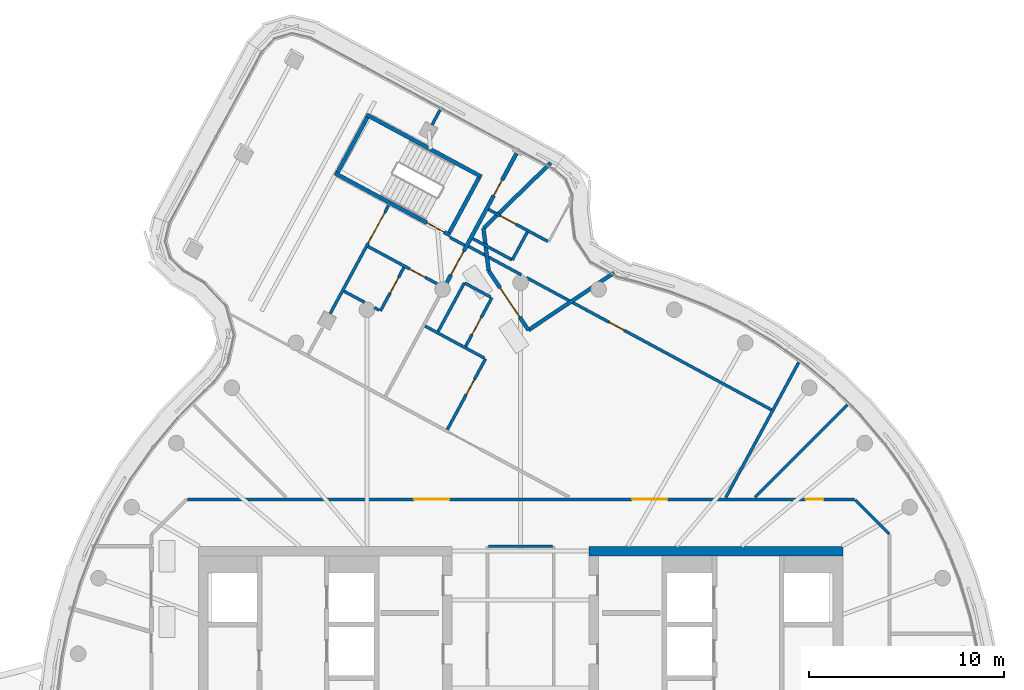
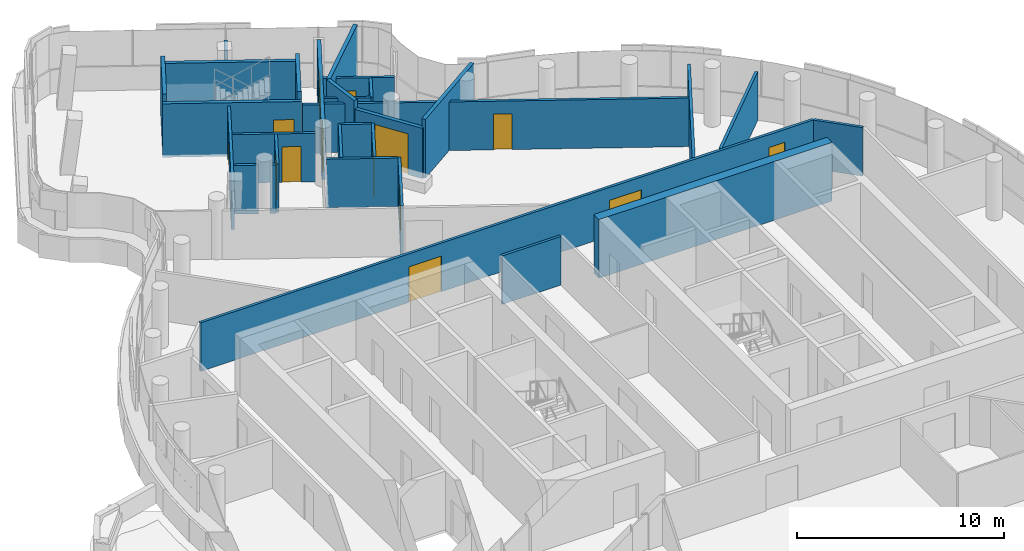
# One storey, part 16 of 22: 32 walls, 14 doors, 14 openings.
"""IFC4 building model written with IfcOpenShell, lengths in metres."""

from ifc_helpers import new_model, si_unit, direction, frame, frame_2d, origin, place, context, subcontext, project, spatial, polyline, rectangle, outline, extrude, material, layer, layer_set, type_object, element, fill, save


model = new_model("IFC4")

# Units and contexts
model_context = context("Model", 3, precision=1e-05, world=origin(), true_north=direction((0.0, 1.0)))
body_context = subcontext(model_context, "Body", "Model", "MODEL_VIEW")
ifc_project = project(units=[si_unit("LENGTHUNIT", "METRE"), si_unit("AREAUNIT", "SQUARE_METRE"), si_unit("VOLUMEUNIT", "CUBIC_METRE"), si_unit("PLANEANGLEUNIT", "RADIAN"), si_unit("MASSUNIT", "GRAM", prefix="KILO")], contexts=[model_context])

# Site, building, storey
site_placement = place(None, origin())
site = spatial("IfcSite", under=ifc_project, at=site_placement, CompositionType="ELEMENT")
building_placement = place(site_placement, origin())
building = spatial("IfcBuilding", under=site, at=building_placement, Name="Tamarind Cross Interchange Tower", CompositionType="ELEMENT")
storey_placement = place(building_placement, frame((0.0, 0.0, 256.800048828125)))
storey = spatial("IfcBuildingStorey", under=building, at=storey_placement, Name="L65", CompositionType="ELEMENT", Elevation=256.800048828125)

# Wall, opening, door
ifc_material_1 = material(Name="Concrete C40", Category="concrete")
ifc_layer_1 = layer(ifc_material_1, 0.199951171875)
ifc_layer_set_1 = layer_set([ifc_layer_1], Name="Concrete C40")
wall_type_1 = type_object("IfcWallType", Name="Balcony and garden door wall", PredefinedType="SOLIDWALL", material=ifc_layer_set_1)
wall_1_placement = place(storey_placement, frame((0.40283203125, 20.5654296875, 0.0), z_axis=(0.0, 0.0, 1.0), x_axis=(-0.55638015725, 0.830927867278, 0.0)))
wall_1 = element("IfcWall", 1, at=wall_1_placement, inside=storey, type_object=wall_type_1, Name="EXW-L65-WG-L65-NNb", PredefinedType="SOLIDWALL", context=body_context, shape_type="SweptSolid", body=[
    extrude(rectangle(XDim=3.653076171875, YDim=0.199951171875, at=frame_2d((1.82666015625, 0.0))), origin(), (0.0, 0.0, 1.0), 2.9638671875),
])
opening_1_placement = place(wall_1_placement, frame((0.800048828125, 0.0, 0.0)))
opening_1 = element("IfcOpeningElement", 2, at=opening_1_placement, cuts=wall_1, Name="Opening D5", PredefinedType="OPENING", context=body_context, shape_type="SweptSolid", body=[
    extrude(rectangle(XDim=1.800048828125, YDim=2.39990234375, at=frame_2d((0.89990234375, 1.199951171875))), frame((0.0, 0.10986328125, 0.0), z_axis=(0.0, -1.0, 0.0), x_axis=(1.0, 0.0, 0.0)), (0.0, 0.0, 1.0), 0.219970703125),
])
ifc_material_2 = material(Name="Aluminium and toughened glass", Category="aluminium")
door_type_1 = type_object("IfcDoorType", Name="Roof garden door", OperationType="DOUBLE_DOOR_SINGLE_SWING", PredefinedType="DOOR", material=ifc_material_2)
door_1_placement = place(opening_1_placement, origin())
door_1 = element("IfcDoor", 3, at=door_1_placement, inside=storey, type_object=door_type_1, Name="DOR-L65-WG-L65-NNb", OperationType="SINGLE_SWING_LEFT", OverallHeight=2.39990234375, OverallWidth=1.800048828125, PredefinedType="DOOR", context=body_context, shape_type="SweptSolid", body=[
    extrude(rectangle(XDim=1.800048828125, YDim=2.39990234375, at=frame_2d((0.89990234375, 1.199951171875))), frame((0.0, 0.02490234375, 0.0), z_axis=(0.0, -1.0, 0.0), x_axis=(1.0, 0.0, 0.0)), (0.0, 0.0, 1.0), 0.050048828125),
])
fill(opening_1, door_1)

# Walls
wall_2_placement = place(storey_placement, frame((0.402587890625, 20.5654296875, 0.0), z_axis=(0.0, 0.0, 1.0), x_axis=(0.830933103282, 0.556372337441, 0.0)))
element("IfcWall", 4, at=wall_2_placement, inside=storey, type_object=wall_type_1, Name="EXW-L65-WG-L65-NNb-R0", PredefinedType="SOLIDWALL", context=body_context, shape_type="SweptSolid", body=[
    extrude(rectangle(XDim=5.286376953125, YDim=0.199951171875, at=frame_2d((2.64306640625, 0.0))), origin(), (0.0, 0.0, 1.0), 3.4599609375),
])
wall_3_placement = place(storey_placement, frame((-1.6298828125, 23.600830078125, 0.0), z_axis=(0.0, 0.0, 1.0), x_axis=(-0.12306236425, 0.99239893919, 0.0)))
element("IfcWall", 5, at=wall_3_placement, inside=storey, type_object=wall_type_1, Name="EXW-L65-WG-L65-NNb-R1", PredefinedType="SOLIDWALL", context=body_context, shape_type="SweptSolid", body=[
    extrude(rectangle(XDim=2.194091796875, YDim=0.199951171875, at=frame_2d((1.09716796875, 0.0))), origin(), (0.0, 0.0, 1.0), 3.4599609375),
])
wall_4_placement = place(storey_placement, frame((-1.89990234375, 25.7783203125, 0.0), z_axis=(0.0, 0.0, 1.0), x_axis=(0.716859267363, 0.697217893342, 0.0)))
element("IfcWall", 6, at=wall_4_placement, inside=storey, type_object=wall_type_1, Name="EXW-L65-WG-L65-NNb-R2", PredefinedType="SOLIDWALL", context=body_context, shape_type="SweptSolid", body=[
    extrude(rectangle(XDim=4.7978515625, YDim=0.199951171875, at=frame_2d((2.39892578125, 0.0))), origin(), (0.0, 0.0, 1.0), 3.4599609375),
])
ifc_material_3 = material(Name="Concrete C50", Category="concrete")
ifc_layer_2 = layer(ifc_material_3, 0.5)
ifc_layer_set_2 = layer_set([ifc_layer_2], Name="Concrete C50")
wall_type_2 = type_object("IfcWallType", Name="Core wall 500 mm Concrete C50", PredefinedType="SHEAR", material=ifc_layer_set_2)
wall_5_placement = place(storey_placement, frame((16.5, 9.25, 0.0), z_axis=(0.0, 0.0, 1.0), x_axis=(-1.0, 0.0, 0.0)))
element("IfcWall", 7, at=wall_5_placement, inside=storey, type_object=wall_type_2, Name="Core wall CWL-L65-E-NE", PredefinedType="SHEAR", context=body_context, shape_type="SweptSolid", body=[
    extrude(rectangle(XDim=13.0, YDim=0.5, at=frame_2d((6.5, 0.0))), origin(), (0.0, 0.0, 1.0), 3.4599609375),
])
ifc_material_4 = material(Name="Gypsum board partition on steel studs", Category="steel")
ifc_layer_3 = layer(ifc_material_4, 0.14990234375)
ifc_layer_set_3 = layer_set([ifc_layer_3], Name="Gypsum board partition on steel studs")
wall_type_3 = type_object("IfcWallType", Name="Partition 150 mm EI 120", PredefinedType="PARTITIONING", material=ifc_layer_set_3)
wall_6_placement = place(storey_placement, frame((17.12841796875, 11.87158203125, 0.0), z_axis=(0.0, 0.0, 1.0), x_axis=(0.707106781187, -0.707106781187, 0.0)))
element("IfcWall", 8, at=wall_6_placement, inside=storey, type_object=wall_type_3, Name="Partition L65-004", PredefinedType="PARTITIONING", context=body_context, shape_type="SweptSolid", body=[
    extrude(rectangle(XDim=2.465087890625, YDim=0.14990234375, at=frame_2d((1.232421875, 0.0))), origin(), (0.0, 0.0, 1.0), 2.864013671875),
])
wall_7_placement = place(storey_placement, frame((-9.04296875, 22.5625, 0.0), z_axis=(0.0, 0.0, 1.0), x_axis=(0.879935954221, -0.475092324153, 0.0)))
element("IfcWall", 9, at=wall_7_placement, inside=storey, type_object=wall_type_3, Name="Partition L65-007", PredefinedType="PARTITIONING", context=body_context, shape_type="SweptSolid", body=[
    extrude(rectangle(XDim=1.202392578125, YDim=0.14990234375, at=frame_2d((0.60107421875, 0.0))), origin(), (0.0, 0.0, 1.0), 2.864013671875),
])
wall_8_placement = place(storey_placement, frame((-7.485595703125, 21.7216796875, 0.0), z_axis=(0.0, 0.0, 1.0), x_axis=(0.880051073949, -0.474879044854, 0.0)))
element("IfcWall", 10, at=wall_8_placement, inside=storey, type_object=wall_type_3, Name="Partition L65-008", PredefinedType="PARTITIONING", context=body_context, shape_type="SweptSolid", body=[
    extrude(rectangle(XDim=0.2802734375, YDim=0.14990234375, at=frame_2d((0.14013671875, 0.0))), origin(), (0.0, 0.0, 1.0), 2.864013671875),
])

# Wall, opening, door
wall_9_placement = place(storey_placement, frame((-7.80810546875, 24.850341796875, 0.0), z_axis=(0.0, 0.0, 1.0), x_axis=(0.879989576418, -0.474992995101, 0.0)))
wall_9 = element("IfcWall", 11, at=wall_9_placement, inside=storey, type_object=wall_type_3, Name="Partition L65-009", PredefinedType="PARTITIONING", context=body_context, shape_type="SweptSolid", body=[
    extrude(rectangle(XDim=4.025146484375, YDim=0.14990234375, at=frame_2d((2.0126953125, 0.0))), origin(), (0.0, 0.0, 1.0), 2.864013671875),
])
opening_2_placement = place(wall_9_placement, frame((2.425048828125, 0.0, 0.0)))
opening_2 = element("IfcOpeningElement", 12, at=opening_2_placement, cuts=wall_9, Name="Opening D02", PredefinedType="OPENING", context=body_context, shape_type="SweptSolid", body=[
    extrude(rectangle(XDim=0.89990234375, YDim=2.10009765625, at=frame_2d((0.449951171875, 1.050048828125))), frame((0.0, 0.0849609375, 0.0), z_axis=(0.0, -1.0, 0.0), x_axis=(1.0, 0.0, 0.0)), (0.0, 0.0, 1.0), 0.169921875),
])
ifc_material_5 = material(Name="Fire-resisting door set")
door_type_2 = type_object("IfcDoorType", Name="Interior door 900 x 2100 FD60S", OperationType="SINGLE_SWING_LEFT", PredefinedType="DOOR", material=ifc_material_5)
door_2_placement = place(opening_2_placement, frame((0.89990234375, 0.0, 0.0), z_axis=(0.0, 0.0, 1.0), x_axis=(-1.0, 0.0, 0.0)))
door_2 = element("IfcDoor", 13, at=door_2_placement, inside=storey, type_object=door_type_2, Name="Door D02", OperationType="SINGLE_SWING_RIGHT", OverallHeight=2.10009765625, OverallWidth=0.89990234375, PredefinedType="DOOR", context=body_context, shape_type="SweptSolid", body=[
    extrude(rectangle(XDim=0.89990234375, YDim=2.10009765625, at=frame_2d((0.449951171875, 1.050048828125))), frame((0.0, 0.02490234375, 0.0), z_axis=(0.0, -1.0, 0.0), x_axis=(1.0, 0.0, 0.0)), (0.0, 0.0, 1.0), 0.050048828125),
])
fill(opening_2, door_2)

# Walls
wall_10_placement = place(storey_placement, frame((-4.89306640625, 20.77734375, 0.0), z_axis=(0.0, 0.0, 1.0), x_axis=(0.880007149788, -0.474960436586, 0.0)))
element("IfcWall", 14, at=wall_10_placement, inside=storey, type_object=wall_type_3, Name="Partition L65-010", PredefinedType="PARTITIONING", context=body_context, shape_type="SweptSolid", body=[
    extrude(rectangle(XDim=3.4501953125, YDim=0.14990234375, at=frame_2d((1.72509765625, 0.0))), origin(), (0.0, 0.0, 1.0), 2.864013671875),
])
wall_11_placement = place(storey_placement, frame((-3.61865234375, 25.31689453125, 0.0), z_axis=(0.0, 0.0, 1.0), x_axis=(0.879960000932, -0.475047783659, 0.0)))
element("IfcWall", 15, at=wall_11_placement, inside=storey, type_object=wall_type_3, Name="Partition L65-011", PredefinedType="PARTITIONING", context=body_context, shape_type="SweptSolid", body=[
    extrude(rectangle(XDim=0.85986328125, YDim=0.14990234375, at=frame_2d((0.429931640625, 0.0))), origin(), (0.0, 0.0, 1.0), 2.864013671875),
])
wall_12_placement = place(storey_placement, frame((-2.8603515625, 22.9755859375, 0.0), z_axis=(0.0, 0.0, 1.0), x_axis=(0.880085616352, -0.474815024921, 0.0)))
element("IfcWall", 16, at=wall_12_placement, inside=storey, type_object=wall_type_3, Name="Partition L65-012", PredefinedType="PARTITIONING", context=body_context, shape_type="SweptSolid", body=[
    extrude(rectangle(XDim=1.506103515625, YDim=0.14990234375, at=frame_2d((0.7529296875, 0.0))), origin(), (0.0, 0.0, 1.0), 2.864013671875),
])
wall_13_placement = place(storey_placement, frame((-2.662109375, 24.857421875, 0.0), z_axis=(0.0, 0.0, 1.0), x_axis=(0.880044328611, -0.474891545176, 0.0)))
element("IfcWall", 17, at=wall_13_placement, inside=storey, type_object=wall_type_3, Name="Partition L65-013", PredefinedType="PARTITIONING", context=body_context, shape_type="SweptSolid", body=[
    extrude(rectangle(XDim=3.0703125, YDim=0.14990234375, at=frame_2d((1.53515625, 0.0))), origin(), (0.0, 0.0, 1.0), 2.864013671875),
])

# Wall, opening, door
wall_14_placement = place(storey_placement, frame((0.302490234375, 23.257568359375, 0.0), z_axis=(0.0, 0.0, 1.0), x_axis=(0.88000876601, -0.474957442037, 0.0)))
wall_14 = element("IfcWall", 18, at=wall_14_placement, inside=storey, type_object=wall_type_3, Name="Partition L65-014", PredefinedType="PARTITIONING", context=body_context, shape_type="SweptSolid", body=[
    extrude(rectangle(XDim=14.256103515625, YDim=0.14990234375, at=frame_2d((7.1279296875, 0.0))), origin(), (0.0, 0.0, 1.0), 2.864013671875),
])
opening_3_placement = place(wall_14_placement, frame((4.800048828125, 0.0, 0.0)))
opening_3 = element("IfcOpeningElement", 19, at=opening_3_placement, cuts=wall_14, Name="Opening D03", PredefinedType="OPENING", context=body_context, shape_type="SweptSolid", body=[
    extrude(rectangle(XDim=0.89990234375, YDim=2.10009765625, at=frame_2d((0.449951171875, 1.050048828125))), frame((0.0, 0.0849609375, 0.0), z_axis=(0.0, -1.0, 0.0), x_axis=(1.0, 0.0, 0.0)), (0.0, 0.0, 1.0), 0.169921875),
])
door_3_placement = place(opening_3_placement, origin())
door_3 = element("IfcDoor", 20, at=door_3_placement, inside=storey, type_object=door_type_2, Name="Door D03", OperationType="SINGLE_SWING_RIGHT", OverallHeight=2.10009765625, OverallWidth=0.89990234375, PredefinedType="DOOR", context=body_context, shape_type="SweptSolid", body=[
    extrude(rectangle(XDim=0.89990234375, YDim=2.10009765625, at=frame_2d((0.449951171875, 1.050048828125))), frame((0.0, 0.02490234375, 0.0), z_axis=(0.0, -1.0, 0.0), x_axis=(1.0, 0.0, 0.0)), (0.0, 0.0, 1.0), 0.050048828125),
])
fill(opening_3, door_3)

# Wall
wall_15_placement = place(storey_placement, frame((-2.444580078125, 25.251220703125, 0.0), z_axis=(0.0, 0.0, 1.0), x_axis=(0.879950258975, -0.475065828839, 0.0)))
element("IfcWall", 21, at=wall_15_placement, inside=storey, type_object=wall_type_3, Name="Partition L65-015", PredefinedType="PARTITIONING", context=body_context, shape_type="SweptSolid", body=[
    extrude(rectangle(XDim=2.275146484375, YDim=0.14990234375, at=frame_2d((1.1376953125, 0.0))), origin(), (0.0, 0.0, 1.0), 2.864013671875),
])

# Wall, opening, door
wall_16_placement = place(storey_placement, frame((-1.64111328125, 26.74951171875, 0.0), z_axis=(0.0, 0.0, 1.0), x_axis=(0.879977572417, -0.475015233486, 0.0)))
wall_16 = element("IfcWall", 22, at=wall_16_placement, inside=storey, type_object=wall_type_3, Name="Partition L65-016", PredefinedType="PARTITIONING", context=body_context, shape_type="SweptSolid", body=[
    extrude(rectangle(XDim=3.4501953125, YDim=0.14990234375, at=frame_2d((1.72509765625, 0.0))), origin(), (0.0, 0.0, 1.0), 2.864013671875),
])
opening_4_placement = place(wall_16_placement, frame((0.699951171875, 0.0, 0.0)))
opening_4 = element("IfcOpeningElement", 23, at=opening_4_placement, cuts=wall_16, Name="Opening D04", PredefinedType="OPENING", context=body_context, shape_type="SweptSolid", body=[
    extrude(rectangle(XDim=0.89990234375, YDim=2.10009765625, at=frame_2d((0.449951171875, 1.050048828125))), frame((0.0, 0.0849609375, 0.0), z_axis=(0.0, -1.0, 0.0), x_axis=(1.0, 0.0, 0.0)), (0.0, 0.0, 1.0), 0.169921875),
])
door_4_placement = place(opening_4_placement, frame((0.89990234375, 0.0, 0.0), z_axis=(0.0, 0.0, 1.0), x_axis=(-1.0, 0.0, 0.0)))
door_4 = element("IfcDoor", 24, at=door_4_placement, inside=storey, type_object=door_type_2, Name="Door D04", OperationType="SINGLE_SWING_LEFT", OverallHeight=2.10009765625, OverallWidth=0.89990234375, PredefinedType="DOOR", context=body_context, shape_type="SweptSolid", body=[
    extrude(rectangle(XDim=0.89990234375, YDim=2.10009765625, at=frame_2d((0.449951171875, 1.050048828125))), frame((0.0, 0.02490234375, 0.0), z_axis=(0.0, -1.0, 0.0), x_axis=(1.0, 0.0, 0.0)), (0.0, 0.0, 1.0), 0.050048828125),
])
fill(opening_4, door_4)

# Wall, openings, doors
wall_17_placement = place(storey_placement, frame((-17.06494140625, 11.89990234375, 0.0), z_axis=(0.0, 0.0, 1.0), x_axis=(1.0, 0.0, 0.0)))
wall_17 = element("IfcWall", 25, at=wall_17_placement, inside=storey, type_object=wall_type_3, Name="Partition L65-020", PredefinedType="PARTITIONING", context=body_context, shape_type="SweptSolid", body=[
    extrude(rectangle(XDim=34.1650390625, YDim=0.14990234375, at=frame_2d((17.08251953125, 0.0))), origin(), (0.0, 0.0, 1.0), 2.864013671875),
])
opening_5_placement = place(wall_17_placement, frame((22.777099609375, 0.0, 0.0)))
opening_5 = element("IfcOpeningElement", 26, at=opening_5_placement, cuts=wall_17, Name="Opening D10", PredefinedType="OPENING", context=body_context, shape_type="SweptSolid", body=[
    extrude(rectangle(XDim=1.800048828125, YDim=2.10009765625, at=frame_2d((0.89990234375, 1.050048828125))), frame((0.0, 0.0849609375, 0.0), z_axis=(0.0, -1.0, 0.0), x_axis=(1.0, 0.0, 0.0)), (0.0, 0.0, 1.0), 0.169921875),
])
opening_6_placement = place(wall_17_placement, frame((31.6650390625, 0.0, 0.0)))
opening_6 = element("IfcOpeningElement", 27, at=opening_6_placement, cuts=wall_17, Name="Opening D11", PredefinedType="OPENING", context=body_context, shape_type="SweptSolid", body=[
    extrude(rectangle(XDim=0.89990234375, YDim=2.10009765625, at=frame_2d((0.449951171875, 1.050048828125))), frame((0.0, 0.0849609375, 0.0), z_axis=(0.0, -1.0, 0.0), x_axis=(1.0, 0.0, 0.0)), (0.0, 0.0, 1.0), 0.169921875),
])
opening_7_placement = place(wall_17_placement, frame((11.614990234375, 0.0, 0.0)))
opening_7 = element("IfcOpeningElement", 28, at=opening_7_placement, cuts=wall_17, Name="Opening D12", PredefinedType="OPENING", context=body_context, shape_type="SweptSolid", body=[
    extrude(rectangle(XDim=1.800048828125, YDim=2.10009765625, at=frame_2d((0.89990234375, 1.050048828125))), frame((0.0, 0.0849609375, 0.0), z_axis=(0.0, -1.0, 0.0), x_axis=(1.0, 0.0, 0.0)), (0.0, 0.0, 1.0), 0.169921875),
])
door_type_3 = type_object("IfcDoorType", Name="Interior door 1800 x 2100 FD60S", OperationType="DOUBLE_DOOR_SINGLE_SWING", PredefinedType="DOOR", material=ifc_material_5)
door_5_placement = place(opening_5_placement, frame((1.800048828125, 0.0, 0.0), z_axis=(0.0, 0.0, 1.0), x_axis=(-1.0, 0.0, 0.0)))
door_5 = element("IfcDoor", 29, at=door_5_placement, inside=storey, type_object=door_type_3, Name="Door D10", OperationType="DOUBLE_DOOR_SINGLE_SWING", OverallHeight=2.10009765625, OverallWidth=1.800048828125, PredefinedType="DOOR", context=body_context, shape_type="SweptSolid", body=[
    extrude(rectangle(XDim=1.800048828125, YDim=2.10009765625, at=frame_2d((0.89990234375, 1.050048828125))), frame((0.0, 0.02490234375, 0.0), z_axis=(0.0, -1.0, 0.0), x_axis=(1.0, 0.0, 0.0)), (0.0, 0.0, 1.0), 0.050048828125),
])
fill(opening_5, door_5)
door_6_placement = place(opening_7_placement, frame((1.800048828125, 0.0, 0.0), z_axis=(0.0, 0.0, 1.0), x_axis=(-1.0, 0.0, 0.0)))
door_6 = element("IfcDoor", 30, at=door_6_placement, inside=storey, type_object=door_type_3, Name="Door D12", OperationType="DOUBLE_DOOR_SINGLE_SWING", OverallHeight=2.10009765625, OverallWidth=1.800048828125, PredefinedType="DOOR", context=body_context, shape_type="SweptSolid", body=[
    extrude(rectangle(XDim=1.800048828125, YDim=2.10009765625, at=frame_2d((0.89990234375, 1.050048828125))), frame((0.0, 0.02490234375, 0.0), z_axis=(0.0, -1.0, 0.0), x_axis=(1.0, 0.0, 0.0)), (0.0, 0.0, 1.0), 0.050048828125),
])
fill(opening_7, door_6)
door_7_placement = place(opening_6_placement, origin())
door_7 = element("IfcDoor", 31, at=door_7_placement, inside=storey, type_object=door_type_2, Name="Door D11", OperationType="SINGLE_SWING_LEFT", OverallHeight=2.10009765625, OverallWidth=0.89990234375, PredefinedType="DOOR", context=body_context, shape_type="SweptSolid", body=[
    extrude(rectangle(XDim=0.89990234375, YDim=2.10009765625, at=frame_2d((0.449951171875, 1.050048828125))), frame((0.0, 0.02490234375, 0.0), z_axis=(0.0, -1.0, 0.0), x_axis=(1.0, 0.0, 0.0)), (0.0, 0.0, 1.0), 0.050048828125),
])
fill(opening_6, door_7)

# Walls
wall_18_placement = place(storey_placement, frame((-1.639892578125, 9.5, 0.0), z_axis=(0.0, 0.0, 1.0), x_axis=(1.0, 0.0, 0.0)))
element("IfcWall", 32, at=wall_18_placement, inside=storey, type_object=wall_type_3, Name="Partition L65-025", PredefinedType="PARTITIONING", context=body_context, shape_type="SweptSolid", body=[
    extrude(rectangle(XDim=3.27978515625, YDim=0.14990234375, at=frame_2d((1.639892578125, 0.0))), origin(), (0.0, 0.0, 1.0), 2.864013671875),
])
wall_19_placement = place(storey_placement, frame((12.009521484375, 12.009521484375, 0.0), z_axis=(0.0, 0.0, 1.0), x_axis=(0.707106781187, 0.707106781187, 0.0)))
element("IfcWall", 33, at=wall_19_placement, inside=storey, type_object=wall_type_3, Name="Partition L65-029", PredefinedType="PARTITIONING", context=body_context, shape_type="SweptSolid", body=[
    extrude(rectangle(XDim=6.690673828125, YDim=0.14990234375, at=frame_2d((3.34521484375, 0.0))), origin(), (0.0, 0.0, 1.0), 2.864013671875),
])

# Wall, opening, door
wall_20_placement = place(storey_placement, frame((-9.755126953125, 21.40087890625, 0.0), z_axis=(0.0, 0.0, 1.0), x_axis=(0.47500714936, 0.87998193621, 0.0)))
wall_20 = element("IfcWall", 34, at=wall_20_placement, inside=storey, type_object=wall_type_3, Name="Partition L65-032", PredefinedType="PARTITIONING", context=body_context, shape_type="SweptSolid", body=[
    extrude(rectangle(XDim=6.3203125, YDim=0.14990234375, at=frame_2d((3.16015625, 0.0))), origin(), (0.0, 0.0, 1.0), 2.864013671875),
])
opening_8_placement = place(wall_20_placement, frame((4.1103515625, 0.0, 0.0)))
opening_8 = element("IfcOpeningElement", 35, at=opening_8_placement, cuts=wall_20, Name="Opening D13", PredefinedType="OPENING", context=body_context, shape_type="SweptSolid", body=[
    extrude(rectangle(XDim=1.800048828125, YDim=2.10009765625, at=frame_2d((0.89990234375, 1.050048828125))), frame((0.0, 0.0849609375, 0.0), z_axis=(0.0, -1.0, 0.0), x_axis=(1.0, 0.0, 0.0)), (0.0, 0.0, 1.0), 0.169921875),
])
door_8_placement = place(opening_8_placement, origin())
door_8 = element("IfcDoor", 36, at=door_8_placement, inside=storey, type_object=door_type_3, Name="Door D13", OperationType="DOUBLE_DOOR_SINGLE_SWING", OverallHeight=2.10009765625, OverallWidth=1.800048828125, PredefinedType="DOOR", context=body_context, shape_type="SweptSolid", body=[
    extrude(rectangle(XDim=1.800048828125, YDim=2.10009765625, at=frame_2d((0.89990234375, 1.050048828125))), frame((0.0, 0.02490234375, 0.0), z_axis=(0.0, -1.0, 0.0), x_axis=(1.0, 0.0, 0.0)), (0.0, 0.0, 1.0), 0.050048828125),
])
fill(opening_8, door_8)

# Wall
wall_21_placement = place(storey_placement, frame((-4.52880859375, 31.08349609375, 0.0), z_axis=(0.0, 0.0, 1.0), x_axis=(0.474932601123, 0.88002217267, 0.0)))
element("IfcWall", 37, at=wall_21_placement, inside=storey, type_object=wall_type_3, Name="Partition L65-033", PredefinedType="PARTITIONING", context=body_context, shape_type="SweptSolid", body=[
    extrude(rectangle(XDim=0.8564453125, YDim=0.14990234375, at=frame_2d((0.42822265625, 0.0))), origin(), (0.0, 0.0, 1.0), 2.864013671875),
])

# Wall, opening, door
wall_22_placement = place(storey_placement, frame((-7.173095703125, 21.552978515625, 0.0), z_axis=(0.0, 0.0, 1.0), x_axis=(0.475033626328, 0.879967643642, 0.0)))
wall_22 = element("IfcWall", 38, at=wall_22_placement, inside=storey, type_object=wall_type_3, Name="Partition L65-034", PredefinedType="PARTITIONING", context=body_context, shape_type="SweptSolid", body=[
    extrude(rectangle(XDim=2.52490234375, YDim=0.14990234375, at=frame_2d((1.262451171875, 0.0))), origin(), (0.0, 0.0, 1.0), 2.864013671875),
])
opening_9_placement = place(wall_22_placement, frame((1.050048828125, 0.0, 0.0)))
opening_9 = element("IfcOpeningElement", 39, at=opening_9_placement, cuts=wall_22, Name="Opening D14", PredefinedType="OPENING", context=body_context, shape_type="SweptSolid", body=[
    extrude(rectangle(XDim=0.89990234375, YDim=2.10009765625, at=frame_2d((0.449951171875, 1.050048828125))), frame((0.0, 0.0849609375, 0.0), z_axis=(0.0, -1.0, 0.0), x_axis=(1.0, 0.0, 0.0)), (0.0, 0.0, 1.0), 0.169921875),
])
door_9_placement = place(opening_9_placement, origin())
door_9 = element("IfcDoor", 40, at=door_9_placement, inside=storey, type_object=door_type_2, Name="Door D14", OperationType="SINGLE_SWING_LEFT", OverallHeight=2.10009765625, OverallWidth=0.89990234375, PredefinedType="DOOR", context=body_context, shape_type="SweptSolid", body=[
    extrude(rectangle(XDim=0.89990234375, YDim=2.10009765625, at=frame_2d((0.449951171875, 1.050048828125))), frame((0.0, 0.02490234375, 0.0), z_axis=(0.0, -1.0, 0.0), x_axis=(1.0, 0.0, 0.0)), (0.0, 0.0, 1.0), 0.050048828125),
])
fill(opening_9, door_9)

# Wall
wall_23_placement = place(storey_placement, frame((-4.219482421875, 20.4990234375, 0.0), z_axis=(0.0, 0.0, 1.0), x_axis=(0.47489329303, 0.880043385428, 0.0)))
element("IfcWall", 41, at=wall_23_placement, inside=storey, type_object=wall_type_3, Name="Partition L65-037", PredefinedType="PARTITIONING", context=body_context, shape_type="SweptSolid", body=[
    extrude(rectangle(XDim=2.824951171875, YDim=0.14990234375, at=frame_2d((1.41259765625, 0.0))), origin(), (0.0, 0.0, 1.0), 2.864013671875),
])

# Wall, opening, door
wall_24_placement = place(storey_placement, frame((-3.75048828125, 15.472900390625, 0.0), z_axis=(0.0, 0.0, 1.0), x_axis=(0.474999530937, 0.879986048531, 0.0)))
wall_24 = element("IfcWall", 42, at=wall_24_placement, inside=storey, type_object=wall_type_3, Name="Partition L65-038", PredefinedType="PARTITIONING", context=body_context, shape_type="SweptSolid", body=[
    extrude(rectangle(XDim=4.125244140625, YDim=0.14990234375, at=frame_2d((2.0625, 0.0))), origin(), (0.0, 0.0, 1.0), 2.864013671875),
])
opening_10_placement = place(wall_24_placement, frame((2.02490234375, 0.0, 0.0)))
opening_10 = element("IfcOpeningElement", 43, at=opening_10_placement, cuts=wall_24, Name="Opening D17", PredefinedType="OPENING", context=body_context, shape_type="SweptSolid", body=[
    extrude(rectangle(XDim=0.89990234375, YDim=2.10009765625, at=frame_2d((0.449951171875, 1.050048828125))), frame((0.0, 0.0849609375, 0.0), z_axis=(0.0, -1.0, 0.0), x_axis=(1.0, 0.0, 0.0)), (0.0, 0.0, 1.0), 0.169921875),
])
door_10_placement = place(opening_10_placement, origin())
door_10 = element("IfcDoor", 44, at=door_10_placement, inside=storey, type_object=door_type_2, Name="Door D17", OperationType="SINGLE_SWING_LEFT", OverallHeight=2.10009765625, OverallWidth=0.89990234375, PredefinedType="DOOR", context=body_context, shape_type="SweptSolid", body=[
    extrude(rectangle(XDim=0.89990234375, YDim=2.10009765625, at=frame_2d((0.449951171875, 1.050048828125))), frame((0.0, 0.02490234375, 0.0), z_axis=(0.0, -1.0, 0.0), x_axis=(1.0, 0.0, 0.0)), (0.0, 0.0, 1.0), 0.050048828125),
])
fill(opening_10, door_10)

wall_25_placement = place(storey_placement, frame((-2.811279296875, 19.739013671875, 0.0), z_axis=(0.0, 0.0, 1.0), x_axis=(0.475094053196, 0.879935020679, 0.0)))
wall_25 = element("IfcWall", 45, at=wall_25_placement, inside=storey, type_object=wall_type_3, Name="Partition L65-040", PredefinedType="PARTITIONING", context=body_context, shape_type="SweptSolid", body=[
    extrude(rectangle(XDim=2.8251953125, YDim=0.14990234375, at=frame_2d((1.41259765625, 0.0))), origin(), (0.0, 0.0, 1.0), 2.864013671875),
])
opening_11_placement = place(wall_25_placement, frame((0.675048828125, 0.0, 0.0)))
opening_11 = element("IfcOpeningElement", 46, at=opening_11_placement, cuts=wall_25, Name="Opening D19", PredefinedType="OPENING", context=body_context, shape_type="SweptSolid", body=[
    extrude(rectangle(XDim=1.0, YDim=2.10009765625, at=frame_2d((0.5, 1.050048828125))), frame((0.0, 0.0849609375, 0.0), z_axis=(0.0, -1.0, 0.0), x_axis=(1.0, 0.0, 0.0)), (0.0, 0.0, 1.0), 0.169921875),
])
door_type_4 = type_object("IfcDoorType", Name="Interior door 1000 x 2100 FD60S", OperationType="SINGLE_SWING_LEFT", PredefinedType="DOOR", material=ifc_material_5)
door_11_placement = place(opening_11_placement, origin())
door_11 = element("IfcDoor", 47, at=door_11_placement, inside=storey, type_object=door_type_4, Name="Door D19", OperationType="SINGLE_SWING_RIGHT", OverallHeight=2.10009765625, OverallWidth=1.0, PredefinedType="DOOR", context=body_context, shape_type="SweptSolid", body=[
    extrude(rectangle(XDim=1.0, YDim=2.10009765625, at=frame_2d((0.5, 1.050048828125))), frame((0.0, 0.02490234375, 0.0), z_axis=(0.0, -1.0, 0.0), x_axis=(1.0, 0.0, 0.0)), (0.0, 0.0, 1.0), 0.050048828125),
])
fill(opening_11, door_11)

# Walls
wall_26_placement = place(storey_placement, frame((-0.423828125, 24.160400390625, 0.0), z_axis=(0.0, 0.0, 1.0), x_axis=(0.475111699271, 0.879925492991, 0.0)))
element("IfcWall", 48, at=wall_26_placement, inside=storey, type_object=wall_type_3, Name="Partition L65-041", PredefinedType="PARTITIONING", context=body_context, shape_type="SweptSolid", body=[
    extrude(rectangle(XDim=1.625244140625, YDim=0.14990234375, at=frame_2d((0.8125, 0.0))), origin(), (0.0, 0.0, 1.0), 2.864013671875),
])
wall_27_placement = place(storey_placement, frame((10.5078125, 11.992431640625, 0.0), z_axis=(0.0, 0.0, 1.0), x_axis=(0.474916972047, 0.88003060723, 0.0)))
element("IfcWall", 49, at=wall_27_placement, inside=storey, type_object=wall_type_3, Name="Partition L65-042", PredefinedType="PARTITIONING", context=body_context, shape_type="SweptSolid", body=[
    extrude(rectangle(XDim=7.873046875, YDim=0.14990234375, at=frame_2d((3.9365234375, 0.0))), origin(), (0.0, 0.0, 1.0), 2.864013671875),
])

# Wall, openings, doors
ifc_layer_4 = layer(ifc_material_4, 0.199951171875)
ifc_layer_set_4 = layer_set([ifc_layer_4], Name="Gypsum board partition on steel studs")
wall_type_4 = type_object("IfcWallType", Name="Partition 200 mm EI 180", PredefinedType="PARTITIONING", material=ifc_layer_set_4)
wall_28_placement = place(storey_placement, frame((-3.864990234375, 22.839599609375, 0.0), z_axis=(0.0, 0.0, 1.0), x_axis=(0.474975497938, 0.879999020658, 0.0)))
wall_28 = element("IfcWall", 50, at=wall_28_placement, inside=storey, type_object=wall_type_4, Name="Partition L65-036", PredefinedType="PARTITIONING", context=body_context, shape_type="SweptSolid", body=[
    extrude(rectangle(XDim=7.69580078125, YDim=0.199951171875, at=frame_2d((3.847900390625, 0.0))), origin(), (0.0, 0.0, 1.0), 2.864013671875),
])
opening_12_placement = place(wall_28_placement, frame((0.62890625, 0.0, 0.0)))
opening_12 = element("IfcOpeningElement", 51, at=opening_12_placement, cuts=wall_28, Name="Opening D15", PredefinedType="OPENING", context=body_context, shape_type="SweptSolid", body=[
    extrude(rectangle(XDim=1.39990234375, YDim=2.10009765625, at=frame_2d((0.699951171875, 1.050048828125))), frame((0.0, 0.10986328125, 0.0), z_axis=(0.0, -1.0, 0.0), x_axis=(1.0, 0.0, 0.0)), (0.0, 0.0, 1.0), 0.219970703125),
])
opening_13_placement = place(wall_28_placement, frame((5.247314453125, 0.0, 0.0)))
opening_13 = element("IfcOpeningElement", 52, at=opening_13_placement, cuts=wall_28, Name="Opening D16", PredefinedType="OPENING", context=body_context, shape_type="SweptSolid", body=[
    extrude(rectangle(XDim=0.89990234375, YDim=2.10009765625, at=frame_2d((0.449951171875, 1.050048828125))), frame((0.0, 0.10986328125, 0.0), z_axis=(0.0, -1.0, 0.0), x_axis=(1.0, 0.0, 0.0)), (0.0, 0.0, 1.0), 0.219970703125),
])
door_type_5 = type_object("IfcDoorType", Name="Interior door 1400 x 2100 FD120S", OperationType="DOUBLE_DOOR_SINGLE_SWING", PredefinedType="DOOR", material=ifc_material_5)
door_12_placement = place(opening_12_placement, frame((1.39990234375, 0.0, 0.0), z_axis=(0.0, 0.0, 1.0), x_axis=(-1.0, 0.0, 0.0)))
door_12 = element("IfcDoor", 53, at=door_12_placement, inside=storey, type_object=door_type_5, Name="Door D15", OperationType="DOUBLE_DOOR_SINGLE_SWING", OverallHeight=2.10009765625, OverallWidth=1.39990234375, PredefinedType="DOOR", context=body_context, shape_type="SweptSolid", body=[
    extrude(rectangle(XDim=1.39990234375, YDim=2.10009765625, at=frame_2d((0.699951171875, 1.050048828125))), frame((0.0, 0.02490234375, 0.0), z_axis=(0.0, -1.0, 0.0), x_axis=(1.0, 0.0, 0.0)), (0.0, 0.0, 1.0), 0.050048828125),
])
fill(opening_12, door_12)
door_type_6 = type_object("IfcDoorType", Name="Interior door 900 x 2100 FD120S", OperationType="SINGLE_SWING_LEFT", PredefinedType="DOOR", material=ifc_material_5)
door_13_placement = place(opening_13_placement, origin())
door_13 = element("IfcDoor", 54, at=door_13_placement, inside=storey, type_object=door_type_6, Name="Door D16", OperationType="SINGLE_SWING_LEFT", OverallHeight=2.10009765625, OverallWidth=0.89990234375, PredefinedType="DOOR", context=body_context, shape_type="SweptSolid", body=[
    extrude(rectangle(XDim=0.89990234375, YDim=2.10009765625, at=frame_2d((0.449951171875, 1.050048828125))), frame((0.0, 0.02490234375, 0.0), z_axis=(0.0, -1.0, 0.0), x_axis=(1.0, 0.0, 0.0)), (0.0, 0.0, 1.0), 0.050048828125),
])
fill(opening_13, door_13)

# Wall, opening, door
ifc_layer_5 = layer(ifc_material_1, 0.199951171875)
ifc_layer_set_5 = layer_set([ifc_layer_5], Name="Concrete C40")
wall_type_5 = type_object("IfcWallType", Name="Stair shaft wall 200 mm Concrete C40", PredefinedType="SHEAR", material=ifc_layer_set_5)
wall_29_placement = place(storey_placement, frame((-3.606689453125, 25.423828125, -0.14013671875), z_axis=(0.0, 0.0, 1.0), x_axis=(-0.879996788685, 0.474979633147, 0.0)))
wall_29 = element("IfcWall", 55, at=wall_29_placement, inside=storey, type_object=wall_type_5, Name="Core wall CWL-L65-ST4-H", PredefinedType="SHEAR", context=body_context, shape_type="SweptSolid", body=[
    extrude(rectangle(XDim=6.699951171875, YDim=0.199951171875, at=frame_2d((3.35009765625, 0.0))), origin(), (0.0, 0.0, 1.0), 3.154052734375),
])
opening_14_placement = place(wall_29_placement, frame((0.35009765625, 0.0, 0.0)))
opening_14 = element("IfcOpeningElement", 56, at=opening_14_placement, cuts=wall_29, Name="Opening ST4L65", PredefinedType="OPENING", context=body_context, shape_type="SweptSolid", body=[
    extrude(rectangle(XDim=1.0, YDim=2.10009765625, at=frame_2d((0.5, 1.050048828125))), frame((0.0, 0.10986328125, 0.0), z_axis=(0.0, -1.0, 0.0), x_axis=(1.0, 0.0, 0.0)), (0.0, 0.0, 1.0), 0.219970703125),
])
ifc_material_6 = material(Name="Steel, fire-resisting", Category="steel")
door_type_7 = type_object("IfcDoorType", Name="Core fire door 1000 x 2100 FD90", OperationType="SINGLE_SWING_LEFT", PredefinedType="DOOR", material=ifc_material_6)
door_14_placement = place(opening_14_placement, origin())
door_14 = element("IfcDoor", 57, at=door_14_placement, inside=storey, type_object=door_type_7, Name="L65 stair door ST4", OperationType="SINGLE_SWING_LEFT", OverallHeight=2.10009765625, OverallWidth=1.0, PredefinedType="DOOR", context=body_context, shape_type="SweptSolid", body=[
    extrude(rectangle(XDim=1.0, YDim=2.10009765625, at=frame_2d((0.5, 1.050048828125))), frame((0.0, 0.02490234375, 0.0), z_axis=(0.0, -1.0, 0.0), x_axis=(1.0, 0.0, 0.0)), (0.0, 0.0, 1.0), 0.050048828125),
])
fill(opening_14, door_14)

# Walls
wall_30_placement = place(storey_placement, frame((-1.99169921875, 28.415771484375, -0.14013671875), z_axis=(0.0, 0.0, 1.0), x_axis=(-0.879996788685, 0.474979633147, 0.0)))
element("IfcWall", 58, at=wall_30_placement, inside=storey, type_object=wall_type_5, Name="Core wall CWL-L65-ST4-C", PredefinedType="SHEAR", context=body_context, shape_type="SweptSolid", body=[
    extrude(rectangle(XDim=6.699951171875, YDim=0.199951171875, at=frame_2d((3.35009765625, 0.0))), origin(), (0.0, 0.0, 1.0), 3.154052734375),
])
wall_31_placement = place(storey_placement, frame((-2.127197265625, 28.375244140625, -0.14013671875), z_axis=(0.0, 0.0, 1.0), x_axis=(-0.475009504157, -0.879980665106, 0.0)))
element("IfcWall", 59, at=wall_31_placement, inside=storey, type_object=wall_type_5, Name="Core wall CWL-L65-ST4-CE", PredefinedType="SHEAR", context=body_context, shape_type="SweptSolid", body=[
    extrude(rectangle(XDim=3.199951171875, YDim=0.199951171875, at=frame_2d((1.60009765625, 0.0))), origin(), (0.0, 0.0, 1.0), 3.60009765625),
])
wall_32_placement = place(storey_placement, frame((0.0, 0.0, -0.14013671875)))
element("IfcWall", 60, at=wall_32_placement, inside=storey, type_object=wall_type_5, Name="Core wall CWL-L65-ST4-CF", PredefinedType="SHEAR", context=body_context, shape_type="SweptSolid", body=[
    extrude(outline(polyline([(-7.75927734375, 31.4150390625), (-7.935302734375, 31.510009765625), (-9.455078125, 28.694091796875), (-9.279052734375, 28.59912109375), (-7.75927734375, 31.4150390625)])), origin(), (0.0, 0.0, 1.0), 3.60009765625),
])

save(model, "model.ifc")
